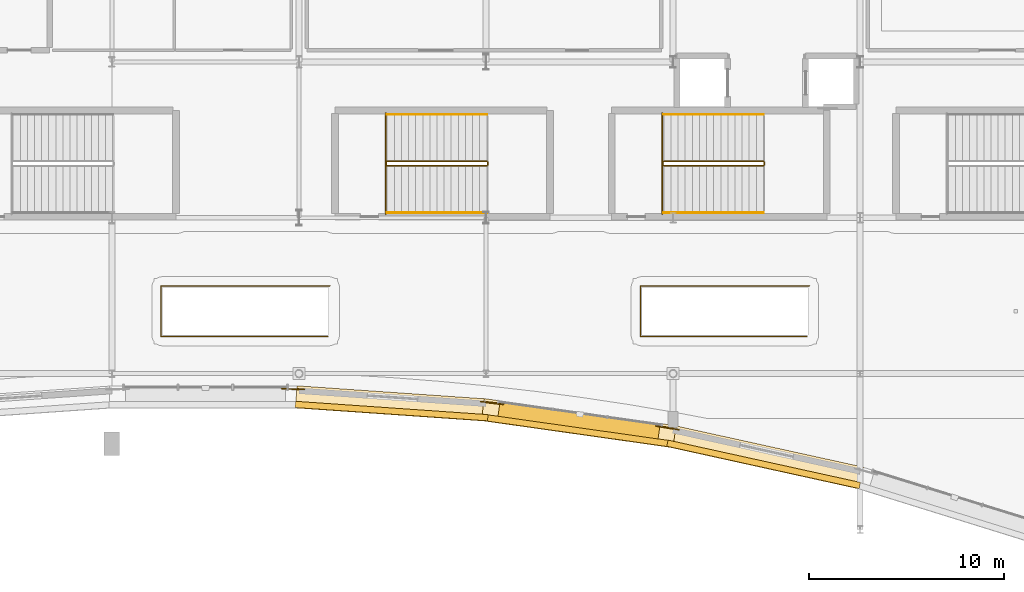
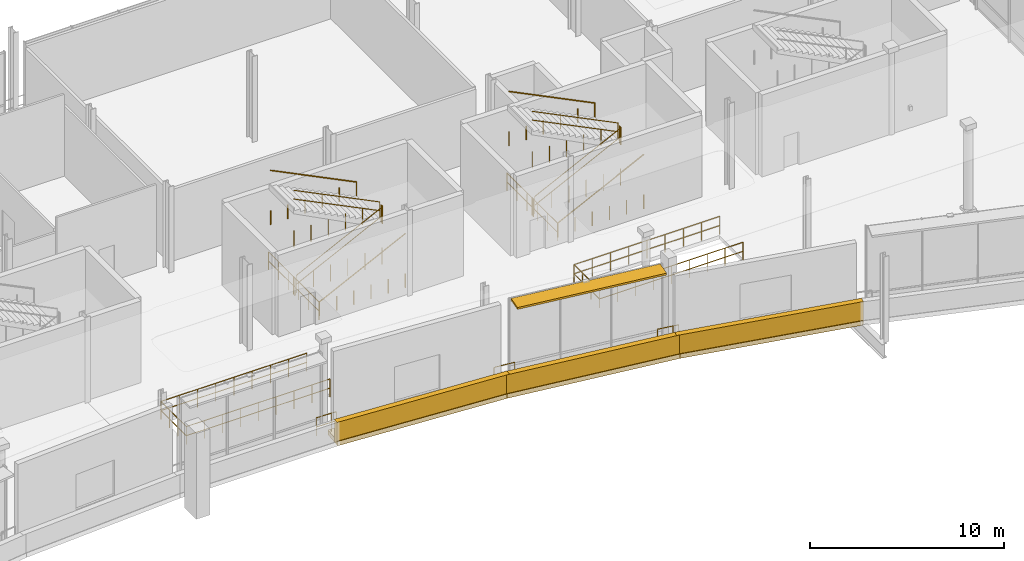
# One storey, part 110 of 129: 19 railings, 6 coverings, 1 shading device.
"""IFC4 building model written with IfcOpenShell, lengths in metres."""

from ifc_helpers import new_model, si_unit, direction, frame, origin, origin_2d, place, context, subcontext, project, spatial, rectangle, circle, extrude, material, layer, layer_set, type_object, element, save


model = new_model("IFC4")

# Units and contexts
model_context = context("Model", 3, precision=1e-05, world=origin(), true_north=direction((0.0, 1.0)))
body_context = subcontext(model_context, "Body", "Model", "MODEL_VIEW")
ifc_project = project(units=[si_unit("LENGTHUNIT", "METRE"), si_unit("AREAUNIT", "SQUARE_METRE"), si_unit("VOLUMEUNIT", "CUBIC_METRE"), si_unit("PLANEANGLEUNIT", "RADIAN"), si_unit("MASSUNIT", "GRAM", prefix="KILO")], contexts=[model_context])

# Site, building, storey
site_placement = place(None, origin())
site = spatial("IfcSite", under=ifc_project, at=site_placement, CompositionType="ELEMENT")
building_placement = place(site_placement, origin())
building = spatial("IfcBuilding", under=site, at=building_placement, Name="Danafjord Basin Convention Centre", CompositionType="ELEMENT")
storey_placement = place(building_placement, frame((0.0, 0.0, 6.0)))
storey = spatial("IfcBuildingStorey", under=building, at=storey_placement, Name="L01", CompositionType="ELEMENT", Elevation=6.0)

# Coverings
ifc_material_1 = material(Name="Architectural white precast concrete C45/55", Category="concrete")
ifc_layer = layer(ifc_material_1, 0.320068359375)
ifc_layer_set = layer_set([ifc_layer], Name="Architectural white precast concrete C45/55")
covering_type = type_object("IfcCoveringType", Name="COV-BAND-HORIZ", PredefinedType="CLADDING", material=ifc_layer_set)
covering_1_placement = place(storey_placement, frame((71.9775390625, 6.460205078125, -0.27978515625), z_axis=(0.0, 0.0, 1.0), x_axis=(0.997609375858, -0.069105232798, 0.0)))
element("IfcCovering", 1, at=covering_1_placement, inside=storey, type_object=covering_type, Name="L01 stepped horizontal band soffit plate 8", PredefinedType="CLADDING", context=body_context, shape_type="SweptSolid", body=[
    extrude(rectangle(XDim=9.863037109375, YDim=1.14990234375, at=origin_2d()), origin(), (0.0, 0.0, 1.0), 0.280029296875),
])
covering_2_placement = place(storey_placement, frame((71.950927734375, 6.076171875, -0.239990234375), z_axis=(0.0, 0.0, 1.0), x_axis=(0.997609375858, -0.069105232798, 0.0)))
element("IfcCovering", 2, at=covering_2_placement, inside=storey, type_object=covering_type, Name="L01 layered horizontal white spandrel band 8", PredefinedType="CLADDING", context=body_context, shape_type="SweptSolid", body=[
    extrude(rectangle(XDim=9.903076171875, YDim=0.320068359375, at=origin_2d()), origin(), (0.0, 0.0, 1.0), 1.419921875),
])
covering_3_placement = place(storey_placement, frame((81.554443359375, 5.45068359375, -0.27978515625), z_axis=(0.0, 0.0, 1.0), x_axis=(0.990128157327, -0.140165017276, 0.0)))
element("IfcCovering", 3, at=covering_3_placement, inside=storey, type_object=covering_type, Name="L01 stepped horizontal band soffit plate 9", PredefinedType="CLADDING", context=body_context, shape_type="SweptSolid", body=[
    extrude(rectangle(XDim=9.93603515625, YDim=1.14990234375, at=origin_2d()), origin(), (0.0, 0.0, 1.0), 0.280029296875),
])
covering_4_placement = place(storey_placement, frame((81.50048828125, 5.069580078125, -0.239990234375), z_axis=(0.0, 0.0, 1.0), x_axis=(0.990128157327, -0.140165017276, 0.0)))
element("IfcCovering", 4, at=covering_4_placement, inside=storey, type_object=covering_type, Name="L01 layered horizontal white spandrel band 9", PredefinedType="CLADDING", context=body_context, shape_type="SweptSolid", body=[
    extrude(rectangle(XDim=9.97607421875, YDim=0.320068359375, at=origin_2d()), origin(), (0.0, 0.0, 1.0), 1.419921875),
])
covering_5_placement = place(storey_placement, frame((91.130126953125, 3.718994140625, -0.27978515625), z_axis=(0.0, 0.0, 1.0), x_axis=(0.976623114167, -0.214958816695, 0.0)))
element("IfcCovering", 5, at=covering_5_placement, inside=storey, type_object=covering_type, Name="L01 stepped horizontal band soffit plate 10", PredefinedType="CLADDING", context=body_context, shape_type="SweptSolid", body=[
    extrude(rectangle(XDim=10.070068359375, YDim=1.14990234375, at=origin_2d()), origin(), (0.0, 0.0, 1.0), 0.280029296875),
])
covering_6_placement = place(storey_placement, frame((91.04736328125, 3.343017578125, -0.239990234375), z_axis=(0.0, 0.0, 1.0), x_axis=(0.976623114167, -0.214958816695, 0.0)))
element("IfcCovering", 6, at=covering_6_placement, inside=storey, type_object=covering_type, Name="L01 layered horizontal white spandrel band 10", PredefinedType="CLADDING", context=body_context, shape_type="SweptSolid", body=[
    extrude(rectangle(XDim=10.110107421875, YDim=0.320068359375, at=origin_2d()), origin(), (0.0, 0.0, 1.0), 1.419921875),
])

# Railings
ifc_material_2 = material(Name="Laminated structural glass and stainless steel", Category="steel")
railing_type_1 = type_object("IfcRailingType", Name="RL-BAL-GLS", PredefinedType="BALUSTRADE", material=ifc_material_2)
railing_1_placement = place(storey_placement, frame((86.69189453125, 5.118896484375, 0.0)))
element("IfcRailing", 7, at=railing_1_placement, inside=storey, type_object=railing_type_1, Name="L01 safety guard balustrade 46", PredefinedType="BALUSTRADE", context=body_context, shape_type="SweptSolid", body=[
    extrude(circle(Radius=0.02392578125, at=origin_2d()), frame((0.0, 0.0, 1.1259765625), z_axis=(-0.982102279235, 0.188348382319, 0.0), x_axis=(-0.188348382319, -0.982102279235, 0.0)), (0.0, 0.0, 1.0), 0.30859375),
    extrude(circle(Radius=0.02392578125, at=origin_2d()), frame((0.0, 0.0, 0.55078125), z_axis=(-0.982102279235, 0.188348382319, 0.0), x_axis=(-0.188348382319, -0.982102279235, 0.0)), (0.0, 0.0, 1.0), 0.30859375),
    extrude(circle(Radius=0.02392578125, at=origin_2d()), frame((-0.302978515625, 0.05810546875, 1.1259765625), z_axis=(-0.985998885672, 0.166751903897, 0.0), x_axis=(-0.166751903897, -0.985998885672, 0.0)), (0.0, 0.0, 1.0), 0.85791015625),
    extrude(circle(Radius=0.02392578125, at=origin_2d()), frame((-0.302978515625, 0.05810546875, 0.55078125), z_axis=(-0.985998885672, 0.166751903897, 0.0), x_axis=(-0.166751903897, -0.985998885672, 0.0)), (0.0, 0.0, 1.0), 0.85791015625),
    extrude(circle(Radius=0.02099609375, at=origin_2d()), origin(), (0.0, 0.0, 1.0), 1.099853515625),
    extrude(circle(Radius=0.02099609375, at=origin_2d()), frame((-0.302978515625, 0.05810546875, 0.0)), (0.0, 0.0, 1.0), 1.099853515625),
    extrude(circle(Radius=0.02099609375, at=origin_2d()), frame((-1.14892578125, 0.201171875, 0.0)), (0.0, 0.0, 1.0), 1.099853515625),
])
railing_2_placement = place(storey_placement, frame((77.68603515625, 6.431884765625, 0.0)))
element("IfcRailing", 8, at=railing_2_placement, inside=storey, type_object=railing_type_1, Name="L01 safety guard balustrade 47", PredefinedType="BALUSTRADE", context=body_context, shape_type="SweptSolid", body=[
    extrude(circle(Radius=0.02392578125, at=origin_2d()), frame((0.0, 0.0, 1.1259765625), z_axis=(-0.993568378877, 0.113233725084, 0.0), x_axis=(-0.113233725084, -0.993568378877, 0.0)), (0.0, 0.0, 1.0), 1.16650390625),
    extrude(circle(Radius=0.02392578125, at=origin_2d()), frame((0.0, 0.0, 0.55078125), z_axis=(-0.993568378877, 0.113233725084, 0.0), x_axis=(-0.113233725084, -0.993568378877, 0.0)), (0.0, 0.0, 1.0), 1.16650390625),
    extrude(circle(Radius=0.02099609375, at=origin_2d()), origin(), (0.0, 0.0, 1.0), 1.099853515625),
    extrude(circle(Radius=0.02099609375, at=origin_2d()), frame((-1.158935546875, 0.132080078125, 0.0)), (0.0, 0.0, 1.0), 1.099853515625),
])
railing_3_placement = place(storey_placement, frame((67.485107421875, 7.18505859375, 0.0)))
element("IfcRailing", 9, at=railing_3_placement, inside=storey, type_object=railing_type_1, Name="L01 safety guard balustrade 48", PredefinedType="BALUSTRADE", context=body_context, shape_type="SweptSolid", body=[
    extrude(circle(Radius=0.02392578125, at=origin_2d()), frame((0.0, 0.0, 1.1259765625), z_axis=(-0.999012980174, 0.0444192013, 0.0), x_axis=(-0.0444192013, -0.999012980174, 0.0)), (0.0, 0.0, 1.0), 0.291259765625),
    extrude(circle(Radius=0.02392578125, at=origin_2d()), frame((0.0, 0.0, 0.55078125), z_axis=(-0.999012980174, 0.0444192013, 0.0), x_axis=(-0.0444192013, -0.999012980174, 0.0)), (0.0, 0.0, 1.0), 0.291259765625),
    extrude(circle(Radius=0.02392578125, at=origin_2d()), frame((-0.291015625, 0.012939453125, 1.1259765625), z_axis=(-0.999684148333, 0.025131724399, 0.0), x_axis=(-0.025131724399, -0.999684148333, 0.0)), (0.0, 0.0, 1.0), 0.874267578125),
    extrude(circle(Radius=0.02392578125, at=origin_2d()), frame((-0.291015625, 0.012939453125, 0.55078125), z_axis=(-0.999684148333, 0.025131724399, 0.0), x_axis=(-0.025131724399, -0.999684148333, 0.0)), (0.0, 0.0, 1.0), 0.874267578125),
    extrude(circle(Radius=0.02099609375, at=origin_2d()), origin(), (0.0, 0.0, 1.0), 1.099853515625),
    extrude(circle(Radius=0.02099609375, at=origin_2d()), frame((-0.291015625, 0.012939453125, 0.0)), (0.0, 0.0, 1.0), 1.099853515625),
    extrude(circle(Radius=0.02099609375, at=origin_2d()), frame((-1.1650390625, 0.034912109375, 0.0)), (0.0, 0.0, 1.0), 1.099853515625),
])
for number, where, name in (
    (10, (85.85009765625, 21.375, 0.0), "L01 safety guard balustrade 108"),
    (11, (71.64990234375, 21.375, 0.0), "L01 safety guard balustrade 112"),
):
    element("IfcRailing", number, at=place(storey_placement, frame(where)), inside=storey, type_object=railing_type_1, Name=name, PredefinedType="BALUSTRADE", context=body_context, shape_type="SweptSolid", body=[
        extrude(circle(Radius=0.02392578125, at=origin_2d()), frame((0.0, 0.0, 1.1259765625), z_axis=(0.0, -1.0, 0.0), x_axis=(1.0, 0.0, 0.0)), (0.0, 0.0, 1.0), 5.18994140625),
        extrude(circle(Radius=0.02392578125, at=origin_2d()), frame((0.0, 0.0, 0.55078125), z_axis=(0.0, -1.0, 0.0), x_axis=(1.0, 0.0, 0.0)), (0.0, 0.0, 1.0), 5.18994140625),
        extrude(circle(Radius=0.02099609375, at=origin_2d()), origin(), (0.0, 0.0, 1.0), 1.099853515625),
        extrude(circle(Radius=0.02099609375, at=origin_2d()), frame((0.0, -1.0380859375, 0.0)), (0.0, 0.0, 1.0), 1.099853515625),
        extrude(circle(Radius=0.02099609375, at=origin_2d()), frame((0.0, -2.075927734375, 0.0)), (0.0, 0.0, 1.0), 1.099853515625),
        extrude(circle(Radius=0.02099609375, at=origin_2d()), frame((0.0, -3.114013671875, 0.0)), (0.0, 0.0, 1.0), 1.099853515625),
        extrude(circle(Radius=0.02099609375, at=origin_2d()), frame((0.0, -4.15185546875, 0.0)), (0.0, 0.0, 1.0), 1.099853515625),
        extrude(circle(Radius=0.02099609375, at=origin_2d()), frame((0.0, -5.18994140625, 0.0)), (0.0, 0.0, 1.0), 1.099853515625),
    ])
ifc_material_3 = material(Name="Galvanised and powder-coated steel S355", Category="steel")
railing_type_2 = type_object("IfcRailingType", Name="RL-BAL-STL", PredefinedType="BALUSTRADE", material=ifc_material_3)
railing_4_placement = place(storey_placement, frame((93.405029296875, 12.5048828125, 0.0)))
element("IfcRailing", 12, at=railing_4_placement, inside=storey, type_object=railing_type_2, Name="L01 safety guard balustrade 109", PredefinedType="BALUSTRADE", context=body_context, shape_type="SweptSolid", body=[
    extrude(circle(Radius=0.02392578125, at=origin_2d()), frame((0.0, 0.0, 1.1259765625), z_axis=(-1.0, 0.0, 0.0), x_axis=(0.0, -1.0, 0.0)), (0.0, 0.0, 1.0), 8.68505859375),
    extrude(circle(Radius=0.02392578125, at=origin_2d()), frame((0.0, 0.0, 0.55078125), z_axis=(-1.0, 0.0, 0.0), x_axis=(0.0, -1.0, 0.0)), (0.0, 0.0, 1.0), 8.68505859375),
    extrude(circle(Radius=0.02392578125, at=origin_2d()), frame((-8.68505859375, 0.0, 1.1259765625), z_axis=(0.0, -1.0, 0.0), x_axis=(1.0, 0.0, 0.0)), (0.0, 0.0, 1.0), 2.60986328125),
    extrude(circle(Radius=0.02392578125, at=origin_2d()), frame((-8.68505859375, 0.0, 0.55078125), z_axis=(0.0, -1.0, 0.0), x_axis=(1.0, 0.0, 0.0)), (0.0, 0.0, 1.0), 2.60986328125),
    extrude(circle(Radius=0.02392578125, at=origin_2d()), frame((-8.68505859375, -2.60986328125, 1.1259765625), z_axis=(1.0, 0.0, 0.0), x_axis=(0.0, 1.0, 0.0)), (0.0, 0.0, 1.0), 8.56494140625),
    extrude(circle(Radius=0.02392578125, at=origin_2d()), frame((-8.68505859375, -2.60986328125, 0.55078125), z_axis=(1.0, 0.0, 0.0), x_axis=(0.0, 1.0, 0.0)), (0.0, 0.0, 1.0), 8.56494140625),
    extrude(circle(Radius=0.02099609375, at=origin_2d()), origin(), (0.0, 0.0, 1.0), 1.099853515625),
    extrude(circle(Radius=0.02099609375, at=origin_2d()), frame((-1.085693359375, 0.0, 0.0)), (0.0, 0.0, 1.0), 1.099853515625),
    extrude(circle(Radius=0.02099609375, at=origin_2d()), frame((-2.17138671875, 0.0, 0.0)), (0.0, 0.0, 1.0), 1.099853515625),
    extrude(circle(Radius=0.02099609375, at=origin_2d()), frame((-3.2568359375, 0.0, 0.0)), (0.0, 0.0, 1.0), 1.099853515625),
    extrude(circle(Radius=0.02099609375, at=origin_2d()), frame((-4.342529296875, 0.0, 0.0)), (0.0, 0.0, 1.0), 1.099853515625),
    extrude(circle(Radius=0.02099609375, at=origin_2d()), frame((-5.42822265625, 0.0, 0.0)), (0.0, 0.0, 1.0), 1.099853515625),
    extrude(circle(Radius=0.02099609375, at=origin_2d()), frame((-6.513671875, 0.0, 0.0)), (0.0, 0.0, 1.0), 1.099853515625),
    extrude(circle(Radius=0.02099609375, at=origin_2d()), frame((-7.599365234375, 0.0, 0.0)), (0.0, 0.0, 1.0), 1.099853515625),
    extrude(circle(Radius=0.02099609375, at=origin_2d()), frame((-8.68505859375, 0.0, 0.0)), (0.0, 0.0, 1.0), 1.099853515625),
    extrude(circle(Radius=0.02099609375, at=origin_2d()), frame((-8.68505859375, -0.869873046875, 0.0)), (0.0, 0.0, 1.0), 1.099853515625),
    extrude(circle(Radius=0.02099609375, at=origin_2d()), frame((-8.68505859375, -1.739990234375, 0.0)), (0.0, 0.0, 1.0), 1.099853515625),
    extrude(circle(Radius=0.02099609375, at=origin_2d()), frame((-8.68505859375, -2.60986328125, 0.0)), (0.0, 0.0, 1.0), 1.099853515625),
    extrude(circle(Radius=0.02099609375, at=origin_2d()), frame((-7.614501953125, -2.60986328125, 0.0)), (0.0, 0.0, 1.0), 1.099853515625),
    extrude(circle(Radius=0.02099609375, at=origin_2d()), frame((-6.5439453125, -2.60986328125, 0.0)), (0.0, 0.0, 1.0), 1.099853515625),
    extrude(circle(Radius=0.02099609375, at=origin_2d()), frame((-5.47314453125, -2.60986328125, 0.0)), (0.0, 0.0, 1.0), 1.099853515625),
    extrude(circle(Radius=0.02099609375, at=origin_2d()), frame((-4.402587890625, -2.60986328125, 0.0)), (0.0, 0.0, 1.0), 1.099853515625),
    extrude(circle(Radius=0.02099609375, at=origin_2d()), frame((-3.33203125, -2.60986328125, 0.0)), (0.0, 0.0, 1.0), 1.099853515625),
    extrude(circle(Radius=0.02099609375, at=origin_2d()), frame((-2.26123046875, -2.60986328125, 0.0)), (0.0, 0.0, 1.0), 1.099853515625),
    extrude(circle(Radius=0.02099609375, at=origin_2d()), frame((-1.190673828125, -2.60986328125, 0.0)), (0.0, 0.0, 1.0), 1.099853515625),
    extrude(circle(Radius=0.02099609375, at=origin_2d()), frame((-0.1201171875, -2.60986328125, 0.0)), (0.0, 0.0, 1.0), 1.099853515625),
])
railing_5_placement = place(storey_placement, frame((68.804931640625, 12.5048828125, 0.0)))
element("IfcRailing", 13, at=railing_5_placement, inside=storey, type_object=railing_type_2, Name="L01 safety guard balustrade 113", PredefinedType="BALUSTRADE", context=body_context, shape_type="SweptSolid", body=[
    extrude(circle(Radius=0.02392578125, at=origin_2d()), frame((0.0, 0.0, 1.1259765625), z_axis=(-1.0, 0.0, 0.0), x_axis=(0.0, -1.0, 0.0)), (0.0, 0.0, 1.0), 8.684814453125),
    extrude(circle(Radius=0.02392578125, at=origin_2d()), frame((0.0, 0.0, 0.55078125), z_axis=(-1.0, 0.0, 0.0), x_axis=(0.0, -1.0, 0.0)), (0.0, 0.0, 1.0), 8.684814453125),
    extrude(circle(Radius=0.02392578125, at=origin_2d()), frame((-8.684814453125, 0.0, 1.1259765625), z_axis=(0.0, -1.0, 0.0), x_axis=(1.0, 0.0, 0.0)), (0.0, 0.0, 1.0), 2.60986328125),
    extrude(circle(Radius=0.02392578125, at=origin_2d()), frame((-8.684814453125, 0.0, 0.55078125), z_axis=(0.0, -1.0, 0.0), x_axis=(1.0, 0.0, 0.0)), (0.0, 0.0, 1.0), 2.60986328125),
    extrude(circle(Radius=0.02392578125, at=origin_2d()), frame((-8.684814453125, -2.60986328125, 1.1259765625), z_axis=(1.0, 0.0, 0.0), x_axis=(0.0, 1.0, 0.0)), (0.0, 0.0, 1.0), 8.56494140625),
    extrude(circle(Radius=0.02392578125, at=origin_2d()), frame((-8.684814453125, -2.60986328125, 0.55078125), z_axis=(1.0, 0.0, 0.0), x_axis=(0.0, 1.0, 0.0)), (0.0, 0.0, 1.0), 8.56494140625),
    extrude(circle(Radius=0.02099609375, at=origin_2d()), origin(), (0.0, 0.0, 1.0), 1.099853515625),
    extrude(circle(Radius=0.02099609375, at=origin_2d()), frame((-1.085693359375, 0.0, 0.0)), (0.0, 0.0, 1.0), 1.099853515625),
    extrude(circle(Radius=0.02099609375, at=origin_2d()), frame((-2.171142578125, 0.0, 0.0)), (0.0, 0.0, 1.0), 1.099853515625),
    extrude(circle(Radius=0.02099609375, at=origin_2d()), frame((-3.2568359375, 0.0, 0.0)), (0.0, 0.0, 1.0), 1.099853515625),
    extrude(circle(Radius=0.02099609375, at=origin_2d()), frame((-4.34228515625, 0.0, 0.0)), (0.0, 0.0, 1.0), 1.099853515625),
    extrude(circle(Radius=0.02099609375, at=origin_2d()), frame((-5.427978515625, 0.0, 0.0)), (0.0, 0.0, 1.0), 1.099853515625),
    extrude(circle(Radius=0.02099609375, at=origin_2d()), frame((-6.513671875, 0.0, 0.0)), (0.0, 0.0, 1.0), 1.099853515625),
    extrude(circle(Radius=0.02099609375, at=origin_2d()), frame((-7.59912109375, 0.0, 0.0)), (0.0, 0.0, 1.0), 1.099853515625),
    extrude(circle(Radius=0.02099609375, at=origin_2d()), frame((-8.684814453125, 0.0, 0.0)), (0.0, 0.0, 1.0), 1.099853515625),
    extrude(circle(Radius=0.02099609375, at=origin_2d()), frame((-8.684814453125, -0.869873046875, 0.0)), (0.0, 0.0, 1.0), 1.099853515625),
    extrude(circle(Radius=0.02099609375, at=origin_2d()), frame((-8.684814453125, -1.739990234375, 0.0)), (0.0, 0.0, 1.0), 1.099853515625),
    extrude(circle(Radius=0.02099609375, at=origin_2d()), frame((-8.684814453125, -2.60986328125, 0.0)), (0.0, 0.0, 1.0), 1.099853515625),
    extrude(circle(Radius=0.02099609375, at=origin_2d()), frame((-7.6142578125, -2.60986328125, 0.0)), (0.0, 0.0, 1.0), 1.099853515625),
    extrude(circle(Radius=0.02099609375, at=origin_2d()), frame((-6.54345703125, -2.60986328125, 0.0)), (0.0, 0.0, 1.0), 1.099853515625),
    extrude(circle(Radius=0.02099609375, at=origin_2d()), frame((-5.472900390625, -2.60986328125, 0.0)), (0.0, 0.0, 1.0), 1.099853515625),
    extrude(circle(Radius=0.02099609375, at=origin_2d()), frame((-4.40234375, -2.60986328125, 0.0)), (0.0, 0.0, 1.0), 1.099853515625),
    extrude(circle(Radius=0.02099609375, at=origin_2d()), frame((-3.331787109375, -2.60986328125, 0.0)), (0.0, 0.0, 1.0), 1.099853515625),
    extrude(circle(Radius=0.02099609375, at=origin_2d()), frame((-2.26123046875, -2.60986328125, 0.0)), (0.0, 0.0, 1.0), 1.099853515625),
    extrude(circle(Radius=0.02099609375, at=origin_2d()), frame((-1.1904296875, -2.60986328125, 0.0)), (0.0, 0.0, 1.0), 1.099853515625),
    extrude(circle(Radius=0.02099609375, at=origin_2d()), frame((-0.119873046875, -2.60986328125, 0.0)), (0.0, 0.0, 1.0), 1.099853515625),
])
ifc_material_4 = material(Name="Galvanised steel S355", Category="steel")
railing_type_3 = type_object("IfcRailingType", Name="RL-GD-WELL", PredefinedType="BALUSTRADE", material=ifc_material_4)
railing_6_placement = place(storey_placement, frame((85.929931640625, 18.659912109375, 0.179931640625)))
element("IfcRailing", 14, at=railing_6_placement, inside=storey, type_object=railing_type_3, Name="L01 ST-03 stair guard 1", PredefinedType="BALUSTRADE", context=body_context, shape_type="SweptSolid", body=[
    extrude(circle(Radius=0.02392578125, at=origin_2d()), frame((0.0, 0.0, 1.076171875), z_axis=(0.896873198966, 0.0, 0.442287762635), x_axis=(0.0, 1.0, 0.0)), (0.0, 0.0, 1.0), 5.69775390625),
    extrude(circle(Radius=0.02392578125, at=origin_2d()), frame((0.0, 0.0, 0.52587890625), z_axis=(0.896873198966, 0.0, 0.442287762635), x_axis=(0.0, 1.0, 0.0)), (0.0, 0.0, 1.0), 5.69775390625),
    extrude(circle(Radius=0.02099609375, at=origin_2d()), origin(), (0.0, 0.0, 1.0), 1.050048828125),
    extrude(circle(Radius=0.02099609375, at=origin_2d()), frame((1.02197265625, 0.0, 0.0)), (0.0, 0.0, 1.0), 1.050048828125),
    extrude(circle(Radius=0.02099609375, at=origin_2d()), frame((2.0439453125, 0.0, 0.0)), (0.0, 0.0, 1.0), 1.050048828125),
    extrude(circle(Radius=0.02099609375, at=origin_2d()), frame((3.066162109375, 0.0, 0.0)), (0.0, 0.0, 1.0), 1.050048828125),
    extrude(circle(Radius=0.02099609375, at=origin_2d()), frame((4.088134765625, 0.0, 0.0)), (0.0, 0.0, 1.0), 1.050048828125),
    extrude(circle(Radius=0.02099609375, at=origin_2d()), frame((5.110107421875, 0.0, 0.0)), (0.0, 0.0, 1.0), 1.050048828125),
])
railing_7_placement = place(storey_placement, frame((91.090087890625, 18.7099609375, 2.699951171875)))
element("IfcRailing", 15, at=railing_7_placement, inside=storey, type_object=railing_type_3, Name="L01 ST-03 stair guard 2", PredefinedType="BALUSTRADE", context=body_context, shape_type="SweptSolid", body=[
    extrude(circle(Radius=0.02392578125, at=origin_2d()), frame((0.0, 0.0, 1.076171875), z_axis=(0.0, 1.0, 0.0), x_axis=(-1.0, 0.0, 0.0)), (0.0, 0.0, 1.0), 0.14013671875),
    extrude(circle(Radius=0.02392578125, at=origin_2d()), frame((0.0, 0.0, 0.52587890625), z_axis=(0.0, 1.0, 0.0), x_axis=(-1.0, 0.0, 0.0)), (0.0, 0.0, 1.0), 0.14013671875),
    extrude(circle(Radius=0.02099609375, at=origin_2d()), origin(), (0.0, 0.0, 1.0), 1.050048828125),
    extrude(circle(Radius=0.02099609375, at=origin_2d()), frame((0.0, 0.14013671875, 0.0)), (0.0, 0.0, 1.0), 1.050048828125),
])
railing_8_placement = place(storey_placement, frame((91.0400390625, 18.89990234375, 2.8798828125)))
element("IfcRailing", 16, at=railing_8_placement, inside=storey, type_object=railing_type_3, Name="L01 ST-03 stair guard 3", PredefinedType="BALUSTRADE", context=body_context, shape_type="SweptSolid", body=[
    extrude(circle(Radius=0.02392578125, at=origin_2d()), frame((0.0, 0.0, 1.076171875), z_axis=(-0.896873198966, 0.0, 0.442287762635), x_axis=(0.0, -1.0, 0.0)), (0.0, 0.0, 1.0), 5.69775390625),
    extrude(circle(Radius=0.02392578125, at=origin_2d()), frame((0.0, 0.0, 0.52587890625), z_axis=(-0.896873198966, 0.0, 0.442287762635), x_axis=(0.0, -1.0, 0.0)), (0.0, 0.0, 1.0), 5.69775390625),
    extrude(circle(Radius=0.02099609375, at=origin_2d()), origin(), (0.0, 0.0, 1.0), 1.050048828125),
    extrude(circle(Radius=0.02099609375, at=origin_2d()), frame((-1.02197265625, 0.0, 0.0)), (0.0, 0.0, 1.0), 1.050048828125),
    extrude(circle(Radius=0.02099609375, at=origin_2d()), frame((-2.0439453125, 0.0, 0.0)), (0.0, 0.0, 1.0), 1.050048828125),
    extrude(circle(Radius=0.02099609375, at=origin_2d()), frame((-3.066162109375, 0.0, 0.0)), (0.0, 0.0, 1.0), 1.050048828125),
    extrude(circle(Radius=0.02099609375, at=origin_2d()), frame((-4.088134765625, 0.0, 0.0)), (0.0, 0.0, 1.0), 1.050048828125),
    extrude(circle(Radius=0.02099609375, at=origin_2d()), frame((-5.110107421875, 0.0, 0.0)), (0.0, 0.0, 1.0), 1.050048828125),
])
railing_9_placement = place(storey_placement, frame((85.8798828125, 18.7099609375, 0.0)))
element("IfcRailing", 17, at=railing_9_placement, inside=storey, type_object=railing_type_3, Name="L01 ST-03 stair guard 4", PredefinedType="BALUSTRADE", context=body_context, shape_type="SweptSolid", body=[
    extrude(circle(Radius=0.02392578125, at=origin_2d()), frame((0.0, 0.0, 1.076171875), z_axis=(0.0, 1.0, 0.0), x_axis=(-1.0, 0.0, 0.0)), (0.0, 0.0, 1.0), 0.14013671875),
    extrude(circle(Radius=0.02392578125, at=origin_2d()), frame((0.0, 0.0, 0.52587890625), z_axis=(0.0, 1.0, 0.0), x_axis=(-1.0, 0.0, 0.0)), (0.0, 0.0, 1.0), 0.14013671875),
    extrude(circle(Radius=0.02099609375, at=origin_2d()), origin(), (0.0, 0.0, 1.0), 1.050048828125),
    extrude(circle(Radius=0.02099609375, at=origin_2d()), frame((0.0, 0.14013671875, 0.0)), (0.0, 0.0, 1.0), 1.050048828125),
])
railing_10_placement = place(storey_placement, frame((71.72998046875, 18.659912109375, 0.179931640625)))
element("IfcRailing", 18, at=railing_10_placement, inside=storey, type_object=railing_type_3, Name="L01 ST-06 stair guard 1", PredefinedType="BALUSTRADE", context=body_context, shape_type="SweptSolid", body=[
    extrude(circle(Radius=0.02392578125, at=origin_2d()), frame((0.0, 0.0, 1.076171875), z_axis=(0.896873198966, 0.0, 0.442287762635), x_axis=(0.0, 1.0, 0.0)), (0.0, 0.0, 1.0), 5.69775390625),
    extrude(circle(Radius=0.02392578125, at=origin_2d()), frame((0.0, 0.0, 0.52587890625), z_axis=(0.896873198966, 0.0, 0.442287762635), x_axis=(0.0, 1.0, 0.0)), (0.0, 0.0, 1.0), 5.69775390625),
    extrude(circle(Radius=0.02099609375, at=origin_2d()), origin(), (0.0, 0.0, 1.0), 1.050048828125),
    extrude(circle(Radius=0.02099609375, at=origin_2d()), frame((1.02197265625, 0.0, 0.0)), (0.0, 0.0, 1.0), 1.050048828125),
    extrude(circle(Radius=0.02099609375, at=origin_2d()), frame((2.0439453125, 0.0, 0.0)), (0.0, 0.0, 1.0), 1.050048828125),
    extrude(circle(Radius=0.02099609375, at=origin_2d()), frame((3.066162109375, 0.0, 0.0)), (0.0, 0.0, 1.0), 1.050048828125),
    extrude(circle(Radius=0.02099609375, at=origin_2d()), frame((4.088134765625, 0.0, 0.0)), (0.0, 0.0, 1.0), 1.050048828125),
    extrude(circle(Radius=0.02099609375, at=origin_2d()), frame((5.110107421875, 0.0, 0.0)), (0.0, 0.0, 1.0), 1.050048828125),
])
railing_11_placement = place(storey_placement, frame((76.889892578125, 18.7099609375, 2.699951171875)))
element("IfcRailing", 19, at=railing_11_placement, inside=storey, type_object=railing_type_3, Name="L01 ST-06 stair guard 2", PredefinedType="BALUSTRADE", context=body_context, shape_type="SweptSolid", body=[
    extrude(circle(Radius=0.02392578125, at=origin_2d()), frame((0.0, 0.0, 1.076171875), z_axis=(0.0, 1.0, 0.0), x_axis=(-1.0, 0.0, 0.0)), (0.0, 0.0, 1.0), 0.14013671875),
    extrude(circle(Radius=0.02392578125, at=origin_2d()), frame((0.0, 0.0, 0.52587890625), z_axis=(0.0, 1.0, 0.0), x_axis=(-1.0, 0.0, 0.0)), (0.0, 0.0, 1.0), 0.14013671875),
    extrude(circle(Radius=0.02099609375, at=origin_2d()), origin(), (0.0, 0.0, 1.0), 1.050048828125),
    extrude(circle(Radius=0.02099609375, at=origin_2d()), frame((0.0, 0.14013671875, 0.0)), (0.0, 0.0, 1.0), 1.050048828125),
])
railing_12_placement = place(storey_placement, frame((76.840087890625, 18.89990234375, 2.8798828125)))
element("IfcRailing", 20, at=railing_12_placement, inside=storey, type_object=railing_type_3, Name="L01 ST-06 stair guard 3", PredefinedType="BALUSTRADE", context=body_context, shape_type="SweptSolid", body=[
    extrude(circle(Radius=0.02392578125, at=origin_2d()), frame((0.0, 0.0, 1.076171875), z_axis=(-0.896873198966, 0.0, 0.442287762635), x_axis=(0.0, -1.0, 0.0)), (0.0, 0.0, 1.0), 5.69775390625),
    extrude(circle(Radius=0.02392578125, at=origin_2d()), frame((0.0, 0.0, 0.52587890625), z_axis=(-0.896873198966, 0.0, 0.442287762635), x_axis=(0.0, -1.0, 0.0)), (0.0, 0.0, 1.0), 5.69775390625),
    extrude(circle(Radius=0.02099609375, at=origin_2d()), origin(), (0.0, 0.0, 1.0), 1.050048828125),
    extrude(circle(Radius=0.02099609375, at=origin_2d()), frame((-1.02197265625, 0.0, 0.0)), (0.0, 0.0, 1.0), 1.050048828125),
    extrude(circle(Radius=0.02099609375, at=origin_2d()), frame((-2.0439453125, 0.0, 0.0)), (0.0, 0.0, 1.0), 1.050048828125),
    extrude(circle(Radius=0.02099609375, at=origin_2d()), frame((-3.066162109375, 0.0, 0.0)), (0.0, 0.0, 1.0), 1.050048828125),
    extrude(circle(Radius=0.02099609375, at=origin_2d()), frame((-4.088134765625, 0.0, 0.0)), (0.0, 0.0, 1.0), 1.050048828125),
    extrude(circle(Radius=0.02099609375, at=origin_2d()), frame((-5.110107421875, 0.0, 0.0)), (0.0, 0.0, 1.0), 1.050048828125),
])
railing_13_placement = place(storey_placement, frame((71.679931640625, 18.7099609375, 0.0)))
element("IfcRailing", 21, at=railing_13_placement, inside=storey, type_object=railing_type_3, Name="L01 ST-06 stair guard 4", PredefinedType="BALUSTRADE", context=body_context, shape_type="SweptSolid", body=[
    extrude(circle(Radius=0.02392578125, at=origin_2d()), frame((0.0, 0.0, 1.076171875), z_axis=(0.0, 1.0, 0.0), x_axis=(-1.0, 0.0, 0.0)), (0.0, 0.0, 1.0), 0.14013671875),
    extrude(circle(Radius=0.02392578125, at=origin_2d()), frame((0.0, 0.0, 0.52587890625), z_axis=(0.0, 1.0, 0.0), x_axis=(-1.0, 0.0, 0.0)), (0.0, 0.0, 1.0), 0.14013671875),
    extrude(circle(Radius=0.02099609375, at=origin_2d()), origin(), (0.0, 0.0, 1.0), 1.050048828125),
    extrude(circle(Radius=0.02099609375, at=origin_2d()), frame((0.0, 0.14013671875, 0.0)), (0.0, 0.0, 1.0), 1.050048828125),
])
ifc_material_5 = material(Name="Brushed stainless steel EN 1.4404", Category="steel")
railing_type_4 = type_object("IfcRailingType", Name="RL-HR-STAIR", PredefinedType="HANDRAIL", material=ifc_material_5)
railing_14_placement = place(storey_placement, frame((85.929931640625, 16.260009765625, 0.179931640625)))
element("IfcRailing", 22, at=railing_14_placement, inside=storey, type_object=railing_type_4, Name="L01 ST-03 stair handrail 1", PredefinedType="HANDRAIL", context=body_context, shape_type="SweptSolid", body=[
    extrude(circle(Radius=0.02392578125, at=origin_2d()), frame((0.0, 0.0, 0.8759765625), z_axis=(0.896873198966, 0.0, 0.442287762635), x_axis=(0.0, 1.0, 0.0)), (0.0, 0.0, 1.0), 5.69775390625),
    extrude(circle(Radius=0.02099609375, at=origin_2d()), origin(), (0.0, 0.0, 1.0), 0.849853515625),
    extrude(circle(Radius=0.02099609375, at=origin_2d()), frame((1.02197265625, 0.0, 0.0)), (0.0, 0.0, 1.0), 0.849853515625),
    extrude(circle(Radius=0.02099609375, at=origin_2d()), frame((2.0439453125, 0.0, 0.0)), (0.0, 0.0, 1.0), 0.849853515625),
    extrude(circle(Radius=0.02099609375, at=origin_2d()), frame((3.066162109375, 0.0, 0.0)), (0.0, 0.0, 1.0), 0.849853515625),
    extrude(circle(Radius=0.02099609375, at=origin_2d()), frame((4.088134765625, 0.0, 0.0)), (0.0, 0.0, 1.0), 0.849853515625),
    extrude(circle(Radius=0.02099609375, at=origin_2d()), frame((5.110107421875, 0.0, 0.0)), (0.0, 0.0, 1.0), 0.849853515625),
])
railing_15_placement = place(storey_placement, frame((91.0400390625, 21.300048828125, 2.8798828125)))
element("IfcRailing", 23, at=railing_15_placement, inside=storey, type_object=railing_type_4, Name="L01 ST-03 stair handrail 2", PredefinedType="HANDRAIL", context=body_context, shape_type="SweptSolid", body=[
    extrude(circle(Radius=0.02392578125, at=origin_2d()), frame((0.0, 0.0, 0.8759765625), z_axis=(-0.896873198966, 0.0, 0.442287762635), x_axis=(0.0, -1.0, 0.0)), (0.0, 0.0, 1.0), 5.69775390625),
    extrude(circle(Radius=0.02099609375, at=origin_2d()), origin(), (0.0, 0.0, 1.0), 0.849853515625),
    extrude(circle(Radius=0.02099609375, at=origin_2d()), frame((-1.02197265625, 0.0, 0.0)), (0.0, 0.0, 1.0), 0.849853515625),
    extrude(circle(Radius=0.02099609375, at=origin_2d()), frame((-2.0439453125, 0.0, 0.0)), (0.0, 0.0, 1.0), 0.849853515625),
    extrude(circle(Radius=0.02099609375, at=origin_2d()), frame((-3.066162109375, 0.0, 0.0)), (0.0, 0.0, 1.0), 0.849853515625),
    extrude(circle(Radius=0.02099609375, at=origin_2d()), frame((-4.088134765625, 0.0, 0.0)), (0.0, 0.0, 1.0), 0.849853515625),
    extrude(circle(Radius=0.02099609375, at=origin_2d()), frame((-5.110107421875, 0.0, 0.0)), (0.0, 0.0, 1.0), 0.849853515625),
])
railing_16_placement = place(storey_placement, frame((71.72998046875, 16.260009765625, 0.179931640625)))
element("IfcRailing", 24, at=railing_16_placement, inside=storey, type_object=railing_type_4, Name="L01 ST-06 stair handrail 1", PredefinedType="HANDRAIL", context=body_context, shape_type="SweptSolid", body=[
    extrude(circle(Radius=0.02392578125, at=origin_2d()), frame((0.0, 0.0, 0.8759765625), z_axis=(0.896873198966, 0.0, 0.442287762635), x_axis=(0.0, 1.0, 0.0)), (0.0, 0.0, 1.0), 5.69775390625),
    extrude(circle(Radius=0.02099609375, at=origin_2d()), origin(), (0.0, 0.0, 1.0), 0.849853515625),
    extrude(circle(Radius=0.02099609375, at=origin_2d()), frame((1.02197265625, 0.0, 0.0)), (0.0, 0.0, 1.0), 0.849853515625),
    extrude(circle(Radius=0.02099609375, at=origin_2d()), frame((2.0439453125, 0.0, 0.0)), (0.0, 0.0, 1.0), 0.849853515625),
    extrude(circle(Radius=0.02099609375, at=origin_2d()), frame((3.066162109375, 0.0, 0.0)), (0.0, 0.0, 1.0), 0.849853515625),
    extrude(circle(Radius=0.02099609375, at=origin_2d()), frame((4.088134765625, 0.0, 0.0)), (0.0, 0.0, 1.0), 0.849853515625),
    extrude(circle(Radius=0.02099609375, at=origin_2d()), frame((5.110107421875, 0.0, 0.0)), (0.0, 0.0, 1.0), 0.849853515625),
])
railing_17_placement = place(storey_placement, frame((76.840087890625, 21.300048828125, 2.8798828125)))
element("IfcRailing", 25, at=railing_17_placement, inside=storey, type_object=railing_type_4, Name="L01 ST-06 stair handrail 2", PredefinedType="HANDRAIL", context=body_context, shape_type="SweptSolid", body=[
    extrude(circle(Radius=0.02392578125, at=origin_2d()), frame((0.0, 0.0, 0.8759765625), z_axis=(-0.896873198966, 0.0, 0.442287762635), x_axis=(0.0, -1.0, 0.0)), (0.0, 0.0, 1.0), 5.69775390625),
    extrude(circle(Radius=0.02099609375, at=origin_2d()), origin(), (0.0, 0.0, 1.0), 0.849853515625),
    extrude(circle(Radius=0.02099609375, at=origin_2d()), frame((-1.02197265625, 0.0, 0.0)), (0.0, 0.0, 1.0), 0.849853515625),
    extrude(circle(Radius=0.02099609375, at=origin_2d()), frame((-2.0439453125, 0.0, 0.0)), (0.0, 0.0, 1.0), 0.849853515625),
    extrude(circle(Radius=0.02099609375, at=origin_2d()), frame((-3.066162109375, 0.0, 0.0)), (0.0, 0.0, 1.0), 0.849853515625),
    extrude(circle(Radius=0.02099609375, at=origin_2d()), frame((-4.088134765625, 0.0, 0.0)), (0.0, 0.0, 1.0), 0.849853515625),
    extrude(circle(Radius=0.02099609375, at=origin_2d()), frame((-5.110107421875, 0.0, 0.0)), (0.0, 0.0, 1.0), 0.849853515625),
])

# Shading device
ifc_material_6 = material(Name="Anodised aluminium aerofoil sunshade", Category="aluminium")
shading_device_type = type_object("IfcShadingDeviceType", Name="SHD-SUN-A", PredefinedType="USERDEFINED", material=ifc_material_6)
shading_device_placement = place(storey_placement, frame((81.56201171875, 5.50341796875, 5.030029296875), z_axis=(0.0, 0.0, 1.0), x_axis=(0.990128157327, -0.140165017276, 0.0)))
element("IfcShadingDevice", 26, at=shading_device_placement, inside=storey, type_object=shading_device_type, Name="L01 cantilevered harbour sunshade 8", ObjectType="SUNSHADE", PredefinedType="USERDEFINED", context=body_context, shape_type="SweptSolid", body=[
    extrude(rectangle(XDim=8.295654296875, YDim=0.89990234375, at=origin_2d()), origin(), (0.0, 0.0, 1.0), 0.1201171875),
])

save(model, "model.ifc")
